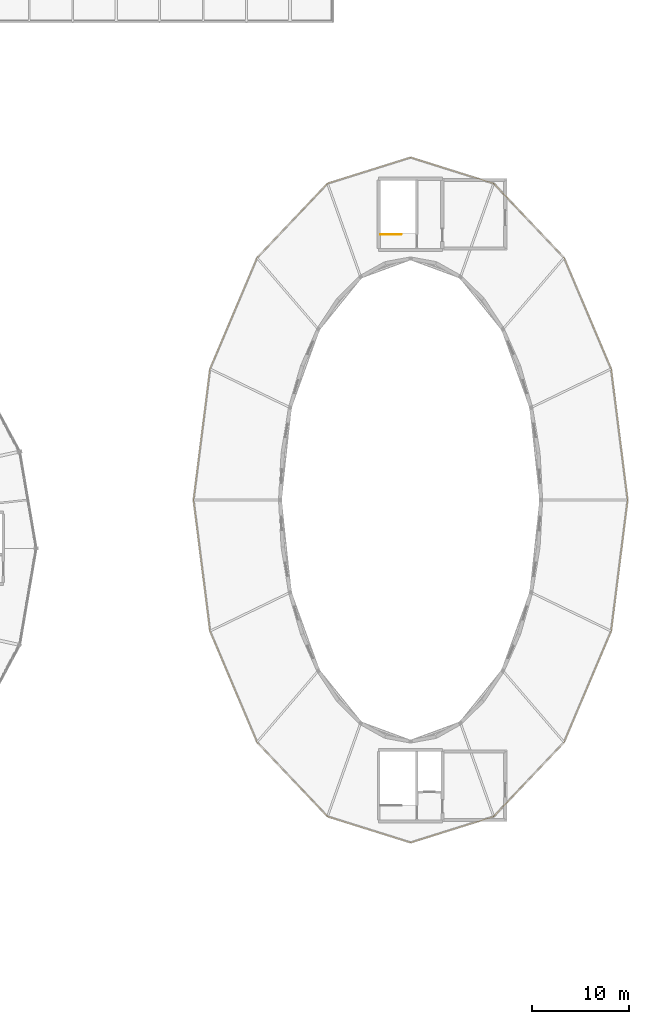
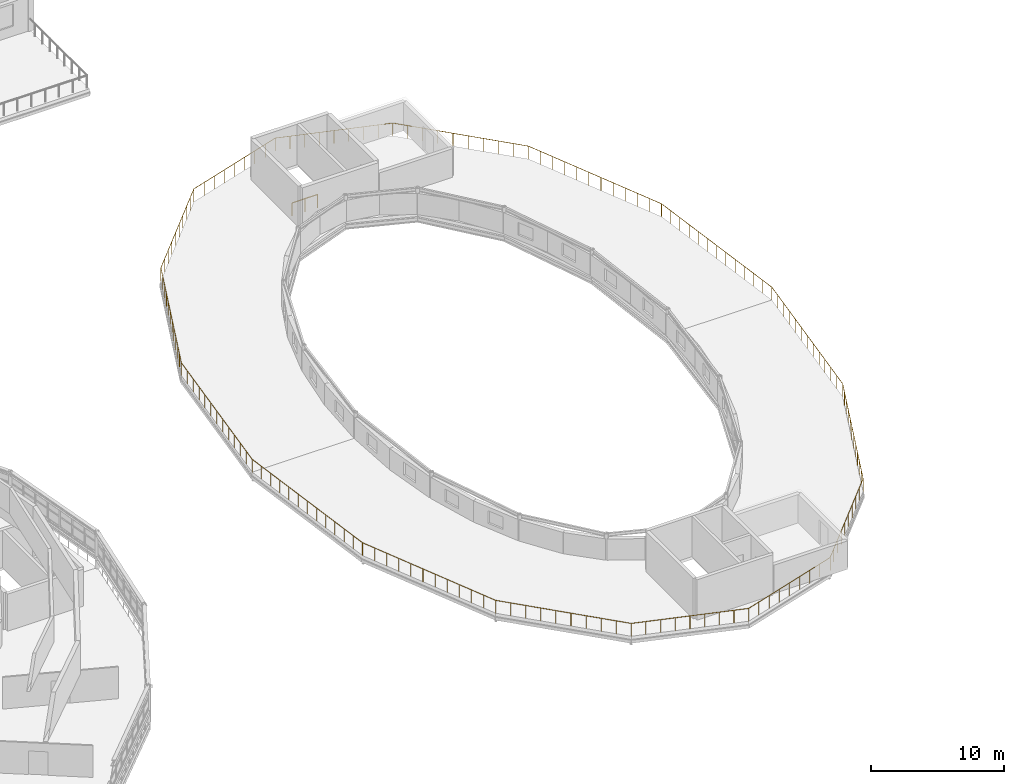
# One storey, part 121 of 123: 2 railings.
"""IFC4 building model written with IfcOpenShell, lengths in metres."""

from ifc_helpers import new_model, si_unit, direction, frame, origin, origin_2d, place, context, subcontext, project, spatial, circle, extrude, material, type_object, element, save


model = new_model("IFC4")

# Units and contexts
model_context = context("Model", 3, precision=1e-05, world=origin(), true_north=direction((0.0, 1.0)))
body_context = subcontext(model_context, "Body", "Model", "MODEL_VIEW")
ifc_project = project(units=[si_unit("LENGTHUNIT", "METRE"), si_unit("AREAUNIT", "SQUARE_METRE"), si_unit("VOLUMEUNIT", "CUBIC_METRE"), si_unit("PLANEANGLEUNIT", "RADIAN"), si_unit("MASSUNIT", "GRAM", prefix="KILO")], contexts=[model_context])

# Site, building, storey
site_placement = place(None, origin())
site = spatial("IfcSite", under=ifc_project, at=site_placement, CompositionType="ELEMENT")
building_placement = place(site_placement, origin())
building = spatial("IfcBuilding", under=site, at=building_placement, Name="Kildeholm Park Wholesale Market", CompositionType="ELEMENT")
storey_placement = place(building_placement, frame((0.0, 0.0, 9.60009765625)))
storey = spatial("IfcBuildingStorey", under=building, at=storey_placement, Name="L02", CompositionType="ELEMENT", Elevation=9.60009765625)

# Railings
ifc_material_1 = material(Name="Painted steel and laminated glass balustrade", Category="steel")
railing_type_1 = type_object("IfcRailingType", Name="Interior gallery and stairwell guard GR-IN1 1200 mm", PredefinedType="GUARDRAIL", material=ifc_material_1)
railing_1_placement = place(storey_placement, frame((184.860107421875, 122.030029296875, 0.0)))
element("IfcRailing", 1, at=railing_1_placement, inside=storey, type_object=railing_type_1, Name="Stair C13 upper floor well guard L02 RLG-0143", PredefinedType="GUARDRAIL", context=body_context, shape_type="SweptSolid", body=[
    extrude(circle(Radius=0.02392578125, at=origin_2d()), frame((0.0, 0.0, 1.17578125), z_axis=(1.0, 0.0, 0.0), x_axis=(0.0, 1.0, 0.0)), (0.0, 0.0, 1.0), 2.18994140625),
    extrude(circle(Radius=0.02099609375, at=origin_2d()), origin(), (0.0, 0.0, 1.0), 1.15185546875),
    extrude(circle(Radius=0.02099609375, at=origin_2d()), frame((1.094970703125, 0.0, 0.0)), (0.0, 0.0, 1.0), 1.15185546875),
    extrude(circle(Radius=0.02099609375, at=origin_2d()), frame((2.18994140625, 0.0, 0.0)), (0.0, 0.0, 1.0), 1.15185546875),
])
ifc_material_2 = material(Name="Painted galvanized steel and stainless-steel balustrade", Category="steel")
railing_type_2 = type_object("IfcRailingType", Name="Terrace and roof-garden balustrade GR-EX1 1200 mm", PredefinedType="GUARDRAIL", material=ifc_material_2)
railing_2_placement = place(storey_placement, frame((210.5, 94.5, 0.0)))
element("IfcRailing", 2, at=railing_2_placement, inside=storey, type_object=railing_type_2, Name="Oval roof garden perimeter balustrade RLG-0001", PredefinedType="GUARDRAIL", context=body_context, shape_type="SweptSolid", body=[
    extrude(circle(Radius=0.02392578125, at=origin_2d()), frame((0.0, 0.0, 1.17578125), z_axis=(-0.125096795787, 0.99214454173, 0.0), x_axis=(-0.99214454173, -0.125096795787, 0.0)), (0.0, 0.0, 1.0), 13.692626953125),
    extrude(circle(Radius=0.02392578125, at=origin_2d()), frame((-1.712890625, 13.5849609375, 1.17578125), z_axis=(-0.389950720924, 0.920835726528, 0.0), x_axis=(-0.920835726528, -0.389950720924, 0.0)), (0.0, 0.0, 1.0), 12.50732421875),
    extrude(circle(Radius=0.02392578125, at=origin_2d()), frame((-6.590087890625, 25.10205078125, 1.17578125), z_axis=(-0.688182467753, 0.725537656554, 0.0), x_axis=(-0.725537656554, -0.688182467753, 0.0)), (0.0, 0.0, 1.0), 10.607421875),
    extrude(circle(Radius=0.02392578125, at=origin_2d()), frame((-13.889892578125, 32.798095703125, 1.17578125), z_axis=(-0.954124515816, 0.299410100562, 0.0), x_axis=(-0.299410100562, -0.954124515816, 0.0)), (0.0, 0.0, 1.0), 9.024169921875),
    extrude(circle(Radius=0.02392578125, at=origin_2d()), frame((-22.5, 35.5, 1.17578125), z_axis=(-0.954124515816, -0.299410100562, 0.0), x_axis=(0.299410100562, -0.954124515816, 0.0)), (0.0, 0.0, 1.0), 9.024169921875),
    extrude(circle(Radius=0.02392578125, at=origin_2d()), frame((-31.110107421875, 32.798095703125, 1.17578125), z_axis=(-0.688182467753, -0.725537656554, 0.0), x_axis=(0.725537656554, -0.688182467753, 0.0)), (0.0, 0.0, 1.0), 10.607421875),
    extrude(circle(Radius=0.02392578125, at=origin_2d()), frame((-38.409912109375, 25.10205078125, 1.17578125), z_axis=(-0.389950720924, -0.920835726528, 0.0), x_axis=(0.920835726528, -0.389950720924, 0.0)), (0.0, 0.0, 1.0), 12.50732421875),
    extrude(circle(Radius=0.02392578125, at=origin_2d()), frame((-43.287109375, 13.5849609375, 1.17578125), z_axis=(-0.125096795787, -0.99214454173, 0.0), x_axis=(0.99214454173, -0.125096795787, 0.0)), (0.0, 0.0, 1.0), 13.692626953125),
    extrude(circle(Radius=0.02392578125, at=origin_2d()), frame((-45.0, 0.0, 1.17578125), z_axis=(0.125096795787, -0.99214454173, 0.0), x_axis=(0.99214454173, 0.125096795787, 0.0)), (0.0, 0.0, 1.0), 13.692626953125),
    extrude(circle(Radius=0.02392578125, at=origin_2d()), frame((-43.287109375, -13.5849609375, 1.17578125), z_axis=(0.389950720924, -0.920835726528, 0.0), x_axis=(0.920835726528, 0.389950720924, 0.0)), (0.0, 0.0, 1.0), 12.50732421875),
    extrude(circle(Radius=0.02392578125, at=origin_2d()), frame((-38.409912109375, -25.10205078125, 1.17578125), z_axis=(0.688182467753, -0.725537656554, 0.0), x_axis=(0.725537656554, 0.688182467753, 0.0)), (0.0, 0.0, 1.0), 10.607421875),
    extrude(circle(Radius=0.02392578125, at=origin_2d()), frame((-31.110107421875, -32.798095703125, 1.17578125), z_axis=(0.954124515816, -0.299410100562, 0.0), x_axis=(0.299410100562, 0.954124515816, 0.0)), (0.0, 0.0, 1.0), 9.024169921875),
    extrude(circle(Radius=0.02392578125, at=origin_2d()), frame((-22.5, -35.5, 1.17578125), z_axis=(0.954124515816, 0.299410100562, 0.0), x_axis=(-0.299410100562, 0.954124515816, 0.0)), (0.0, 0.0, 1.0), 9.024169921875),
    extrude(circle(Radius=0.02392578125, at=origin_2d()), frame((-13.889892578125, -32.798095703125, 1.17578125), z_axis=(0.688182467753, 0.725537656554, 0.0), x_axis=(-0.725537656554, 0.688182467753, 0.0)), (0.0, 0.0, 1.0), 10.607421875),
    extrude(circle(Radius=0.02392578125, at=origin_2d()), frame((-6.590087890625, -25.10205078125, 1.17578125), z_axis=(0.389950720924, 0.920835726528, 0.0), x_axis=(-0.920835726528, 0.389950720924, 0.0)), (0.0, 0.0, 1.0), 12.50732421875),
    extrude(circle(Radius=0.02392578125, at=origin_2d()), frame((-1.712890625, -13.5849609375, 1.17578125), z_axis=(0.125096795787, 0.99214454173, 0.0), x_axis=(-0.99214454173, 0.125096795787, 0.0)), (0.0, 0.0, 1.0), 13.692626953125),
    extrude(circle(Radius=0.02099609375, at=origin_2d()), origin(), (0.0, 0.0, 1.0), 1.15185546875),
    extrude(circle(Radius=0.02099609375, at=origin_2d()), frame((-0.142822265625, 1.132080078125, 0.0)), (0.0, 0.0, 1.0), 1.15185546875),
    extrude(circle(Radius=0.02099609375, at=origin_2d()), frame((-0.285400390625, 2.26416015625, 0.0)), (0.0, 0.0, 1.0), 1.15185546875),
    extrude(circle(Radius=0.02099609375, at=origin_2d()), frame((-0.42822265625, 3.396240234375, 0.0)), (0.0, 0.0, 1.0), 1.15185546875),
    extrude(circle(Radius=0.02099609375, at=origin_2d()), frame((-0.571044921875, 4.5283203125, 0.0)), (0.0, 0.0, 1.0), 1.15185546875),
    extrude(circle(Radius=0.02099609375, at=origin_2d()), frame((-0.713623046875, 5.660400390625, 0.0)), (0.0, 0.0, 1.0), 1.15185546875),
    extrude(circle(Radius=0.02099609375, at=origin_2d()), frame((-0.8564453125, 6.79248046875, 0.0)), (0.0, 0.0, 1.0), 1.15185546875),
    extrude(circle(Radius=0.02099609375, at=origin_2d()), frame((-0.999267578125, 7.924560546875, 0.0)), (0.0, 0.0, 1.0), 1.15185546875),
    extrude(circle(Radius=0.02099609375, at=origin_2d()), frame((-1.141845703125, 9.056640625, 0.0)), (0.0, 0.0, 1.0), 1.15185546875),
    extrude(circle(Radius=0.02099609375, at=origin_2d()), frame((-1.28466796875, 10.188720703125, 0.0)), (0.0, 0.0, 1.0), 1.15185546875),
    extrude(circle(Radius=0.02099609375, at=origin_2d()), frame((-1.427490234375, 11.32080078125, 0.0)), (0.0, 0.0, 1.0), 1.15185546875),
    extrude(circle(Radius=0.02099609375, at=origin_2d()), frame((-1.570068359375, 12.452880859375, 0.0)), (0.0, 0.0, 1.0), 1.15185546875),
    extrude(circle(Radius=0.02099609375, at=origin_2d()), frame((-1.712890625, 13.5849609375, 0.0)), (0.0, 0.0, 1.0), 1.15185546875),
    extrude(circle(Radius=0.02099609375, at=origin_2d()), frame((-2.15625, 14.632080078125, 0.0)), (0.0, 0.0, 1.0), 1.15185546875),
    extrude(circle(Radius=0.02099609375, at=origin_2d()), frame((-2.599609375, 15.678955078125, 0.0)), (0.0, 0.0, 1.0), 1.15185546875),
    extrude(circle(Radius=0.02099609375, at=origin_2d()), frame((-3.04296875, 16.72607421875, 0.0)), (0.0, 0.0, 1.0), 1.15185546875),
    extrude(circle(Radius=0.02099609375, at=origin_2d()), frame((-3.486328125, 17.77294921875, 0.0)), (0.0, 0.0, 1.0), 1.15185546875),
    extrude(circle(Radius=0.02099609375, at=origin_2d()), frame((-3.9296875, 18.820068359375, 0.0)), (0.0, 0.0, 1.0), 1.15185546875),
    extrude(circle(Radius=0.02099609375, at=origin_2d()), frame((-4.373291015625, 19.866943359375, 0.0)), (0.0, 0.0, 1.0), 1.15185546875),
    extrude(circle(Radius=0.02099609375, at=origin_2d()), frame((-4.816650390625, 20.9140625, 0.0)), (0.0, 0.0, 1.0), 1.15185546875),
    extrude(circle(Radius=0.02099609375, at=origin_2d()), frame((-5.260009765625, 21.9609375, 0.0)), (0.0, 0.0, 1.0), 1.15185546875),
    extrude(circle(Radius=0.02099609375, at=origin_2d()), frame((-5.703369140625, 23.008056640625, 0.0)), (0.0, 0.0, 1.0), 1.15185546875),
    extrude(circle(Radius=0.02099609375, at=origin_2d()), frame((-6.146728515625, 24.054931640625, 0.0)), (0.0, 0.0, 1.0), 1.15185546875),
    extrude(circle(Radius=0.02099609375, at=origin_2d()), frame((-6.590087890625, 25.10205078125, 0.0)), (0.0, 0.0, 1.0), 1.15185546875),
    extrude(circle(Radius=0.02099609375, at=origin_2d()), frame((-7.401123046875, 25.957275390625, 0.0)), (0.0, 0.0, 1.0), 1.15185546875),
    extrude(circle(Radius=0.02099609375, at=origin_2d()), frame((-8.212158203125, 26.812255859375, 0.0)), (0.0, 0.0, 1.0), 1.15185546875),
    extrude(circle(Radius=0.02099609375, at=origin_2d()), frame((-9.0234375, 27.66748046875, 0.0)), (0.0, 0.0, 1.0), 1.15185546875),
    extrude(circle(Radius=0.02099609375, at=origin_2d()), frame((-9.83447265625, 28.5224609375, 0.0)), (0.0, 0.0, 1.0), 1.15185546875),
    extrude(circle(Radius=0.02099609375, at=origin_2d()), frame((-10.6455078125, 29.377685546875, 0.0)), (0.0, 0.0, 1.0), 1.15185546875),
    extrude(circle(Radius=0.02099609375, at=origin_2d()), frame((-11.45654296875, 30.232666015625, 0.0)), (0.0, 0.0, 1.0), 1.15185546875),
    extrude(circle(Radius=0.02099609375, at=origin_2d()), frame((-12.267822265625, 31.087890625, 0.0)), (0.0, 0.0, 1.0), 1.15185546875),
    extrude(circle(Radius=0.02099609375, at=origin_2d()), frame((-13.078857421875, 31.94287109375, 0.0)), (0.0, 0.0, 1.0), 1.15185546875),
    extrude(circle(Radius=0.02099609375, at=origin_2d()), frame((-13.889892578125, 32.798095703125, 0.0)), (0.0, 0.0, 1.0), 1.15185546875),
    extrude(circle(Radius=0.02099609375, at=origin_2d()), frame((-14.966064453125, 33.1357421875, 0.0)), (0.0, 0.0, 1.0), 1.15185546875),
    extrude(circle(Radius=0.02099609375, at=origin_2d()), frame((-16.04248046875, 33.4736328125, 0.0)), (0.0, 0.0, 1.0), 1.15185546875),
    extrude(circle(Radius=0.02099609375, at=origin_2d()), frame((-17.11865234375, 33.811279296875, 0.0)), (0.0, 0.0, 1.0), 1.15185546875),
    extrude(circle(Radius=0.02099609375, at=origin_2d()), frame((-18.19482421875, 34.14892578125, 0.0)), (0.0, 0.0, 1.0), 1.15185546875),
    extrude(circle(Radius=0.02099609375, at=origin_2d()), frame((-19.271240234375, 34.48681640625, 0.0)), (0.0, 0.0, 1.0), 1.15185546875),
    extrude(circle(Radius=0.02099609375, at=origin_2d()), frame((-20.347412109375, 34.824462890625, 0.0)), (0.0, 0.0, 1.0), 1.15185546875),
    extrude(circle(Radius=0.02099609375, at=origin_2d()), frame((-21.423828125, 35.162353515625, 0.0)), (0.0, 0.0, 1.0), 1.15185546875),
    extrude(circle(Radius=0.02099609375, at=origin_2d()), frame((-22.5, 35.5, 0.0)), (0.0, 0.0, 1.0), 1.15185546875),
    extrude(circle(Radius=0.02099609375, at=origin_2d()), frame((-23.576171875, 35.162353515625, 0.0)), (0.0, 0.0, 1.0), 1.15185546875),
    extrude(circle(Radius=0.02099609375, at=origin_2d()), frame((-24.652587890625, 34.824462890625, 0.0)), (0.0, 0.0, 1.0), 1.15185546875),
    extrude(circle(Radius=0.02099609375, at=origin_2d()), frame((-25.728759765625, 34.48681640625, 0.0)), (0.0, 0.0, 1.0), 1.15185546875),
    extrude(circle(Radius=0.02099609375, at=origin_2d()), frame((-26.80517578125, 34.14892578125, 0.0)), (0.0, 0.0, 1.0), 1.15185546875),
    extrude(circle(Radius=0.02099609375, at=origin_2d()), frame((-27.88134765625, 33.811279296875, 0.0)), (0.0, 0.0, 1.0), 1.15185546875),
    extrude(circle(Radius=0.02099609375, at=origin_2d()), frame((-28.95751953125, 33.4736328125, 0.0)), (0.0, 0.0, 1.0), 1.15185546875),
    extrude(circle(Radius=0.02099609375, at=origin_2d()), frame((-30.033935546875, 33.1357421875, 0.0)), (0.0, 0.0, 1.0), 1.15185546875),
    extrude(circle(Radius=0.02099609375, at=origin_2d()), frame((-31.110107421875, 32.798095703125, 0.0)), (0.0, 0.0, 1.0), 1.15185546875),
    extrude(circle(Radius=0.02099609375, at=origin_2d()), frame((-31.921142578125, 31.94287109375, 0.0)), (0.0, 0.0, 1.0), 1.15185546875),
    extrude(circle(Radius=0.02099609375, at=origin_2d()), frame((-32.732177734375, 31.087890625, 0.0)), (0.0, 0.0, 1.0), 1.15185546875),
    extrude(circle(Radius=0.02099609375, at=origin_2d()), frame((-33.54345703125, 30.232666015625, 0.0)), (0.0, 0.0, 1.0), 1.15185546875),
    extrude(circle(Radius=0.02099609375, at=origin_2d()), frame((-34.3544921875, 29.377685546875, 0.0)), (0.0, 0.0, 1.0), 1.15185546875),
    extrude(circle(Radius=0.02099609375, at=origin_2d()), frame((-35.16552734375, 28.5224609375, 0.0)), (0.0, 0.0, 1.0), 1.15185546875),
    extrude(circle(Radius=0.02099609375, at=origin_2d()), frame((-35.9765625, 27.66748046875, 0.0)), (0.0, 0.0, 1.0), 1.15185546875),
    extrude(circle(Radius=0.02099609375, at=origin_2d()), frame((-36.787841796875, 26.812255859375, 0.0)), (0.0, 0.0, 1.0), 1.15185546875),
    extrude(circle(Radius=0.02099609375, at=origin_2d()), frame((-37.598876953125, 25.957275390625, 0.0)), (0.0, 0.0, 1.0), 1.15185546875),
    extrude(circle(Radius=0.02099609375, at=origin_2d()), frame((-38.409912109375, 25.10205078125, 0.0)), (0.0, 0.0, 1.0), 1.15185546875),
    extrude(circle(Radius=0.02099609375, at=origin_2d()), frame((-38.853271484375, 24.054931640625, 0.0)), (0.0, 0.0, 1.0), 1.15185546875),
    extrude(circle(Radius=0.02099609375, at=origin_2d()), frame((-39.296630859375, 23.008056640625, 0.0)), (0.0, 0.0, 1.0), 1.15185546875),
    extrude(circle(Radius=0.02099609375, at=origin_2d()), frame((-39.739990234375, 21.9609375, 0.0)), (0.0, 0.0, 1.0), 1.15185546875),
    extrude(circle(Radius=0.02099609375, at=origin_2d()), frame((-40.183349609375, 20.9140625, 0.0)), (0.0, 0.0, 1.0), 1.15185546875),
    extrude(circle(Radius=0.02099609375, at=origin_2d()), frame((-40.626708984375, 19.866943359375, 0.0)), (0.0, 0.0, 1.0), 1.15185546875),
    extrude(circle(Radius=0.02099609375, at=origin_2d()), frame((-41.0703125, 18.820068359375, 0.0)), (0.0, 0.0, 1.0), 1.15185546875),
    extrude(circle(Radius=0.02099609375, at=origin_2d()), frame((-41.513671875, 17.77294921875, 0.0)), (0.0, 0.0, 1.0), 1.15185546875),
    extrude(circle(Radius=0.02099609375, at=origin_2d()), frame((-41.95703125, 16.72607421875, 0.0)), (0.0, 0.0, 1.0), 1.15185546875),
    extrude(circle(Radius=0.02099609375, at=origin_2d()), frame((-42.400390625, 15.678955078125, 0.0)), (0.0, 0.0, 1.0), 1.15185546875),
    extrude(circle(Radius=0.02099609375, at=origin_2d()), frame((-42.84375, 14.632080078125, 0.0)), (0.0, 0.0, 1.0), 1.15185546875),
    extrude(circle(Radius=0.02099609375, at=origin_2d()), frame((-43.287109375, 13.5849609375, 0.0)), (0.0, 0.0, 1.0), 1.15185546875),
    extrude(circle(Radius=0.02099609375, at=origin_2d()), frame((-43.429931640625, 12.452880859375, 0.0)), (0.0, 0.0, 1.0), 1.15185546875),
    extrude(circle(Radius=0.02099609375, at=origin_2d()), frame((-43.572509765625, 11.32080078125, 0.0)), (0.0, 0.0, 1.0), 1.15185546875),
    extrude(circle(Radius=0.02099609375, at=origin_2d()), frame((-43.71533203125, 10.188720703125, 0.0)), (0.0, 0.0, 1.0), 1.15185546875),
    extrude(circle(Radius=0.02099609375, at=origin_2d()), frame((-43.858154296875, 9.056640625, 0.0)), (0.0, 0.0, 1.0), 1.15185546875),
    extrude(circle(Radius=0.02099609375, at=origin_2d()), frame((-44.000732421875, 7.924560546875, 0.0)), (0.0, 0.0, 1.0), 1.15185546875),
    extrude(circle(Radius=0.02099609375, at=origin_2d()), frame((-44.1435546875, 6.79248046875, 0.0)), (0.0, 0.0, 1.0), 1.15185546875),
    extrude(circle(Radius=0.02099609375, at=origin_2d()), frame((-44.286376953125, 5.660400390625, 0.0)), (0.0, 0.0, 1.0), 1.15185546875),
    extrude(circle(Radius=0.02099609375, at=origin_2d()), frame((-44.428955078125, 4.5283203125, 0.0)), (0.0, 0.0, 1.0), 1.15185546875),
    extrude(circle(Radius=0.02099609375, at=origin_2d()), frame((-44.57177734375, 3.396240234375, 0.0)), (0.0, 0.0, 1.0), 1.15185546875),
    extrude(circle(Radius=0.02099609375, at=origin_2d()), frame((-44.714599609375, 2.26416015625, 0.0)), (0.0, 0.0, 1.0), 1.15185546875),
    extrude(circle(Radius=0.02099609375, at=origin_2d()), frame((-44.857177734375, 1.132080078125, 0.0)), (0.0, 0.0, 1.0), 1.15185546875),
    extrude(circle(Radius=0.02099609375, at=origin_2d()), frame((-45.0, 0.0, 0.0)), (0.0, 0.0, 1.0), 1.15185546875),
    extrude(circle(Radius=0.02099609375, at=origin_2d()), frame((-44.857177734375, -1.132080078125, 0.0)), (0.0, 0.0, 1.0), 1.15185546875),
    extrude(circle(Radius=0.02099609375, at=origin_2d()), frame((-44.714599609375, -2.26416015625, 0.0)), (0.0, 0.0, 1.0), 1.15185546875),
    extrude(circle(Radius=0.02099609375, at=origin_2d()), frame((-44.57177734375, -3.396240234375, 0.0)), (0.0, 0.0, 1.0), 1.15185546875),
    extrude(circle(Radius=0.02099609375, at=origin_2d()), frame((-44.428955078125, -4.5283203125, 0.0)), (0.0, 0.0, 1.0), 1.15185546875),
    extrude(circle(Radius=0.02099609375, at=origin_2d()), frame((-44.286376953125, -5.660400390625, 0.0)), (0.0, 0.0, 1.0), 1.15185546875),
    extrude(circle(Radius=0.02099609375, at=origin_2d()), frame((-44.1435546875, -6.79248046875, 0.0)), (0.0, 0.0, 1.0), 1.15185546875),
    extrude(circle(Radius=0.02099609375, at=origin_2d()), frame((-44.000732421875, -7.924560546875, 0.0)), (0.0, 0.0, 1.0), 1.15185546875),
    extrude(circle(Radius=0.02099609375, at=origin_2d()), frame((-43.858154296875, -9.056640625, 0.0)), (0.0, 0.0, 1.0), 1.15185546875),
    extrude(circle(Radius=0.02099609375, at=origin_2d()), frame((-43.71533203125, -10.188720703125, 0.0)), (0.0, 0.0, 1.0), 1.15185546875),
    extrude(circle(Radius=0.02099609375, at=origin_2d()), frame((-43.572509765625, -11.32080078125, 0.0)), (0.0, 0.0, 1.0), 1.15185546875),
    extrude(circle(Radius=0.02099609375, at=origin_2d()), frame((-43.429931640625, -12.452880859375, 0.0)), (0.0, 0.0, 1.0), 1.15185546875),
    extrude(circle(Radius=0.02099609375, at=origin_2d()), frame((-43.287109375, -13.5849609375, 0.0)), (0.0, 0.0, 1.0), 1.15185546875),
    extrude(circle(Radius=0.02099609375, at=origin_2d()), frame((-42.84375, -14.632080078125, 0.0)), (0.0, 0.0, 1.0), 1.15185546875),
    extrude(circle(Radius=0.02099609375, at=origin_2d()), frame((-42.400390625, -15.678955078125, 0.0)), (0.0, 0.0, 1.0), 1.15185546875),
    extrude(circle(Radius=0.02099609375, at=origin_2d()), frame((-41.95703125, -16.72607421875, 0.0)), (0.0, 0.0, 1.0), 1.15185546875),
    extrude(circle(Radius=0.02099609375, at=origin_2d()), frame((-41.513671875, -17.77294921875, 0.0)), (0.0, 0.0, 1.0), 1.15185546875),
    extrude(circle(Radius=0.02099609375, at=origin_2d()), frame((-41.0703125, -18.820068359375, 0.0)), (0.0, 0.0, 1.0), 1.15185546875),
    extrude(circle(Radius=0.02099609375, at=origin_2d()), frame((-40.626708984375, -19.866943359375, 0.0)), (0.0, 0.0, 1.0), 1.15185546875),
    extrude(circle(Radius=0.02099609375, at=origin_2d()), frame((-40.183349609375, -20.9140625, 0.0)), (0.0, 0.0, 1.0), 1.15185546875),
    extrude(circle(Radius=0.02099609375, at=origin_2d()), frame((-39.739990234375, -21.9609375, 0.0)), (0.0, 0.0, 1.0), 1.15185546875),
    extrude(circle(Radius=0.02099609375, at=origin_2d()), frame((-39.296630859375, -23.008056640625, 0.0)), (0.0, 0.0, 1.0), 1.15185546875),
    extrude(circle(Radius=0.02099609375, at=origin_2d()), frame((-38.853271484375, -24.054931640625, 0.0)), (0.0, 0.0, 1.0), 1.15185546875),
    extrude(circle(Radius=0.02099609375, at=origin_2d()), frame((-38.409912109375, -25.10205078125, 0.0)), (0.0, 0.0, 1.0), 1.15185546875),
    extrude(circle(Radius=0.02099609375, at=origin_2d()), frame((-37.598876953125, -25.957275390625, 0.0)), (0.0, 0.0, 1.0), 1.15185546875),
    extrude(circle(Radius=0.02099609375, at=origin_2d()), frame((-36.787841796875, -26.812255859375, 0.0)), (0.0, 0.0, 1.0), 1.15185546875),
    extrude(circle(Radius=0.02099609375, at=origin_2d()), frame((-35.9765625, -27.66748046875, 0.0)), (0.0, 0.0, 1.0), 1.15185546875),
    extrude(circle(Radius=0.02099609375, at=origin_2d()), frame((-35.16552734375, -28.5224609375, 0.0)), (0.0, 0.0, 1.0), 1.15185546875),
    extrude(circle(Radius=0.02099609375, at=origin_2d()), frame((-34.3544921875, -29.377685546875, 0.0)), (0.0, 0.0, 1.0), 1.15185546875),
    extrude(circle(Radius=0.02099609375, at=origin_2d()), frame((-33.54345703125, -30.232666015625, 0.0)), (0.0, 0.0, 1.0), 1.15185546875),
    extrude(circle(Radius=0.02099609375, at=origin_2d()), frame((-32.732177734375, -31.087890625, 0.0)), (0.0, 0.0, 1.0), 1.15185546875),
    extrude(circle(Radius=0.02099609375, at=origin_2d()), frame((-31.921142578125, -31.94287109375, 0.0)), (0.0, 0.0, 1.0), 1.15185546875),
    extrude(circle(Radius=0.02099609375, at=origin_2d()), frame((-31.110107421875, -32.798095703125, 0.0)), (0.0, 0.0, 1.0), 1.15185546875),
    extrude(circle(Radius=0.02099609375, at=origin_2d()), frame((-30.033935546875, -33.1357421875, 0.0)), (0.0, 0.0, 1.0), 1.15185546875),
    extrude(circle(Radius=0.02099609375, at=origin_2d()), frame((-28.95751953125, -33.4736328125, 0.0)), (0.0, 0.0, 1.0), 1.15185546875),
    extrude(circle(Radius=0.02099609375, at=origin_2d()), frame((-27.88134765625, -33.811279296875, 0.0)), (0.0, 0.0, 1.0), 1.15185546875),
    extrude(circle(Radius=0.02099609375, at=origin_2d()), frame((-26.80517578125, -34.14892578125, 0.0)), (0.0, 0.0, 1.0), 1.15185546875),
    extrude(circle(Radius=0.02099609375, at=origin_2d()), frame((-25.728759765625, -34.48681640625, 0.0)), (0.0, 0.0, 1.0), 1.15185546875),
    extrude(circle(Radius=0.02099609375, at=origin_2d()), frame((-24.652587890625, -34.824462890625, 0.0)), (0.0, 0.0, 1.0), 1.15185546875),
    extrude(circle(Radius=0.02099609375, at=origin_2d()), frame((-23.576171875, -35.162353515625, 0.0)), (0.0, 0.0, 1.0), 1.15185546875),
    extrude(circle(Radius=0.02099609375, at=origin_2d()), frame((-22.5, -35.5, 0.0)), (0.0, 0.0, 1.0), 1.15185546875),
    extrude(circle(Radius=0.02099609375, at=origin_2d()), frame((-21.423828125, -35.162353515625, 0.0)), (0.0, 0.0, 1.0), 1.15185546875),
    extrude(circle(Radius=0.02099609375, at=origin_2d()), frame((-20.347412109375, -34.824462890625, 0.0)), (0.0, 0.0, 1.0), 1.15185546875),
    extrude(circle(Radius=0.02099609375, at=origin_2d()), frame((-19.271240234375, -34.48681640625, 0.0)), (0.0, 0.0, 1.0), 1.15185546875),
    extrude(circle(Radius=0.02099609375, at=origin_2d()), frame((-18.19482421875, -34.14892578125, 0.0)), (0.0, 0.0, 1.0), 1.15185546875),
    extrude(circle(Radius=0.02099609375, at=origin_2d()), frame((-17.11865234375, -33.811279296875, 0.0)), (0.0, 0.0, 1.0), 1.15185546875),
    extrude(circle(Radius=0.02099609375, at=origin_2d()), frame((-16.04248046875, -33.4736328125, 0.0)), (0.0, 0.0, 1.0), 1.15185546875),
    extrude(circle(Radius=0.02099609375, at=origin_2d()), frame((-14.966064453125, -33.1357421875, 0.0)), (0.0, 0.0, 1.0), 1.15185546875),
    extrude(circle(Radius=0.02099609375, at=origin_2d()), frame((-13.889892578125, -32.798095703125, 0.0)), (0.0, 0.0, 1.0), 1.15185546875),
    extrude(circle(Radius=0.02099609375, at=origin_2d()), frame((-13.078857421875, -31.94287109375, 0.0)), (0.0, 0.0, 1.0), 1.15185546875),
    extrude(circle(Radius=0.02099609375, at=origin_2d()), frame((-12.267822265625, -31.087890625, 0.0)), (0.0, 0.0, 1.0), 1.15185546875),
    extrude(circle(Radius=0.02099609375, at=origin_2d()), frame((-11.45654296875, -30.232666015625, 0.0)), (0.0, 0.0, 1.0), 1.15185546875),
    extrude(circle(Radius=0.02099609375, at=origin_2d()), frame((-10.6455078125, -29.377685546875, 0.0)), (0.0, 0.0, 1.0), 1.15185546875),
    extrude(circle(Radius=0.02099609375, at=origin_2d()), frame((-9.83447265625, -28.5224609375, 0.0)), (0.0, 0.0, 1.0), 1.15185546875),
    extrude(circle(Radius=0.02099609375, at=origin_2d()), frame((-9.0234375, -27.66748046875, 0.0)), (0.0, 0.0, 1.0), 1.15185546875),
    extrude(circle(Radius=0.02099609375, at=origin_2d()), frame((-8.212158203125, -26.812255859375, 0.0)), (0.0, 0.0, 1.0), 1.15185546875),
    extrude(circle(Radius=0.02099609375, at=origin_2d()), frame((-7.401123046875, -25.957275390625, 0.0)), (0.0, 0.0, 1.0), 1.15185546875),
    extrude(circle(Radius=0.02099609375, at=origin_2d()), frame((-6.590087890625, -25.10205078125, 0.0)), (0.0, 0.0, 1.0), 1.15185546875),
    extrude(circle(Radius=0.02099609375, at=origin_2d()), frame((-6.146728515625, -24.054931640625, 0.0)), (0.0, 0.0, 1.0), 1.15185546875),
    extrude(circle(Radius=0.02099609375, at=origin_2d()), frame((-5.703369140625, -23.008056640625, 0.0)), (0.0, 0.0, 1.0), 1.15185546875),
    extrude(circle(Radius=0.02099609375, at=origin_2d()), frame((-5.260009765625, -21.9609375, 0.0)), (0.0, 0.0, 1.0), 1.15185546875),
    extrude(circle(Radius=0.02099609375, at=origin_2d()), frame((-4.816650390625, -20.9140625, 0.0)), (0.0, 0.0, 1.0), 1.15185546875),
    extrude(circle(Radius=0.02099609375, at=origin_2d()), frame((-4.373291015625, -19.866943359375, 0.0)), (0.0, 0.0, 1.0), 1.15185546875),
    extrude(circle(Radius=0.02099609375, at=origin_2d()), frame((-3.9296875, -18.820068359375, 0.0)), (0.0, 0.0, 1.0), 1.15185546875),
    extrude(circle(Radius=0.02099609375, at=origin_2d()), frame((-3.486328125, -17.77294921875, 0.0)), (0.0, 0.0, 1.0), 1.15185546875),
    extrude(circle(Radius=0.02099609375, at=origin_2d()), frame((-3.04296875, -16.72607421875, 0.0)), (0.0, 0.0, 1.0), 1.15185546875),
    extrude(circle(Radius=0.02099609375, at=origin_2d()), frame((-2.599609375, -15.678955078125, 0.0)), (0.0, 0.0, 1.0), 1.15185546875),
    extrude(circle(Radius=0.02099609375, at=origin_2d()), frame((-2.15625, -14.632080078125, 0.0)), (0.0, 0.0, 1.0), 1.15185546875),
    extrude(circle(Radius=0.02099609375, at=origin_2d()), frame((-1.712890625, -13.5849609375, 0.0)), (0.0, 0.0, 1.0), 1.15185546875),
    extrude(circle(Radius=0.02099609375, at=origin_2d()), frame((-1.570068359375, -12.452880859375, 0.0)), (0.0, 0.0, 1.0), 1.15185546875),
    extrude(circle(Radius=0.02099609375, at=origin_2d()), frame((-1.427490234375, -11.32080078125, 0.0)), (0.0, 0.0, 1.0), 1.15185546875),
    extrude(circle(Radius=0.02099609375, at=origin_2d()), frame((-1.28466796875, -10.188720703125, 0.0)), (0.0, 0.0, 1.0), 1.15185546875),
    extrude(circle(Radius=0.02099609375, at=origin_2d()), frame((-1.141845703125, -9.056640625, 0.0)), (0.0, 0.0, 1.0), 1.15185546875),
    extrude(circle(Radius=0.02099609375, at=origin_2d()), frame((-0.999267578125, -7.924560546875, 0.0)), (0.0, 0.0, 1.0), 1.15185546875),
    extrude(circle(Radius=0.02099609375, at=origin_2d()), frame((-0.8564453125, -6.79248046875, 0.0)), (0.0, 0.0, 1.0), 1.15185546875),
    extrude(circle(Radius=0.02099609375, at=origin_2d()), frame((-0.713623046875, -5.660400390625, 0.0)), (0.0, 0.0, 1.0), 1.15185546875),
    extrude(circle(Radius=0.02099609375, at=origin_2d()), frame((-0.571044921875, -4.5283203125, 0.0)), (0.0, 0.0, 1.0), 1.15185546875),
    extrude(circle(Radius=0.02099609375, at=origin_2d()), frame((-0.42822265625, -3.396240234375, 0.0)), (0.0, 0.0, 1.0), 1.15185546875),
    extrude(circle(Radius=0.02099609375, at=origin_2d()), frame((-0.285400390625, -2.26416015625, 0.0)), (0.0, 0.0, 1.0), 1.15185546875),
    extrude(circle(Radius=0.02099609375, at=origin_2d()), frame((-0.142822265625, -1.132080078125, 0.0)), (0.0, 0.0, 1.0), 1.15185546875),
])

save(model, "model.ifc")
